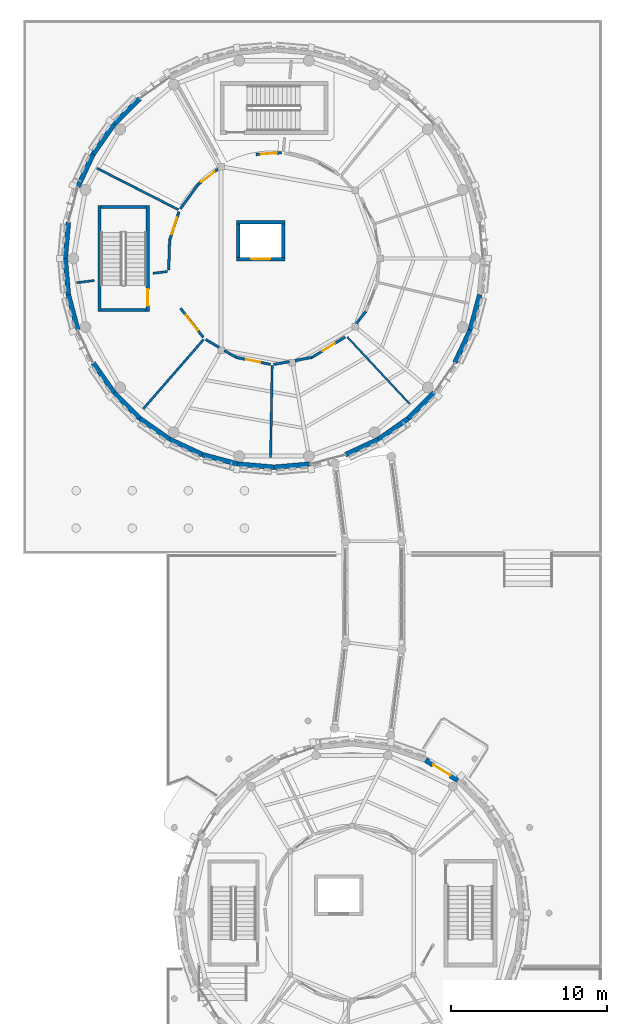
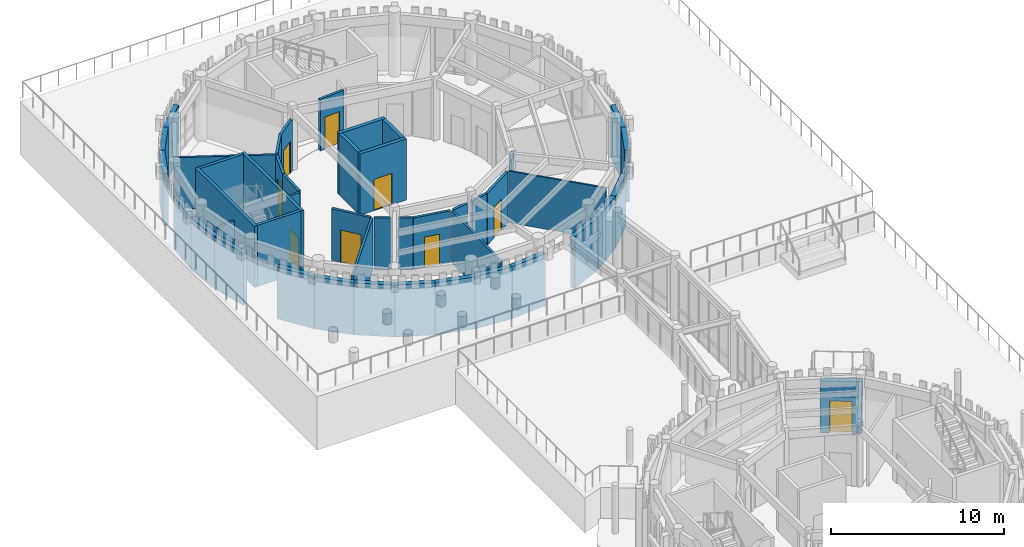
# One storey, part 51 of 94: 46 walls, 9 doors, 9 openings.
"""IFC4 building model written with IfcOpenShell, lengths in metres."""

from ifc_helpers import new_model, si_unit, direction, frame, frame_2d, origin, place, context, subcontext, project, spatial, rectangle, extrude, material, layer, layer_set, type_object, element, fill, save


model = new_model("IFC4")

# Units and contexts
model_context = context("Model", 3, precision=1e-05, world=origin(), true_north=direction((0.0, 1.0)))
body_context = subcontext(model_context, "Body", "Model", "MODEL_VIEW")
ifc_project = project(units=[si_unit("LENGTHUNIT", "METRE"), si_unit("AREAUNIT", "SQUARE_METRE"), si_unit("VOLUMEUNIT", "CUBIC_METRE"), si_unit("PLANEANGLEUNIT", "RADIAN"), si_unit("MASSUNIT", "GRAM", prefix="KILO")], contexts=[model_context])

# Site, building, storey
site_placement = place(None, origin())
site = spatial("IfcSite", under=ifc_project, at=site_placement, CompositionType="ELEMENT")
building_placement = place(site_placement, origin())
building = spatial("IfcBuilding", under=site, at=building_placement, Name="Aldenvaro Health Centre", CompositionType="ELEMENT")
storey_placement = place(building_placement, origin())
storey = spatial("IfcBuildingStorey", under=building, at=storey_placement, Name="L00", CompositionType="ELEMENT", Elevation=0.0)

# Walls
ifc_material_1 = material(Name="Gypsum Stud Acoustic Assembly")
ifc_layer_1 = layer(ifc_material_1, 0.14501953125, Name="Gypsum Stud Acoustic Assembly")
ifc_layer_set_1 = layer_set([ifc_layer_1], Name="Gypsum Stud Acoustic Assembly")
wall_type_1 = type_object("IfcWallType", Name="WL-CLN-145", PredefinedType="PARTITIONING", material=ifc_layer_set_1)
wall_1_placement = place(storey_placement, frame((12.366943359375, 102.625, 0.0), z_axis=(0.0, 0.0, 1.0), x_axis=(-0.891027445761, 0.453949436503, 0.0)))
element("IfcWall", 1, at=wall_1_placement, inside=storey, type_object=wall_type_1, Name="D4 L00 clinical partition 4.1", PredefinedType="PARTITIONING", context=body_context, shape_type="SweptSolid", body=[
    extrude(rectangle(XDim=5.875, YDim=0.14501953125, at=frame_2d((2.9375, 0.0))), origin(), (0.0, 0.0, 1.0), 3.634033203125),
])
wall_2_placement = place(storey_placement, frame((11.66796875, 98.660888671875, 0.0), z_axis=(0.0, 0.0, 1.0), x_axis=(-0.992569205124, -0.121681440816, 0.0)))
element("IfcWall", 2, at=wall_2_placement, inside=storey, type_object=wall_type_1, Name="D4 L00 clinical partition 5.1", PredefinedType="PARTITIONING", context=body_context, shape_type="SweptSolid", body=[
    extrude(rectangle(XDim=0.945068359375, YDim=0.14501953125, at=frame_2d((0.47265625, 0.0))), origin(), (0.0, 0.0, 1.0), 3.634033203125),
])
wall_3_placement = place(storey_placement, frame((6.969970703125, 98.083984375, 0.0), z_axis=(0.0, 0.0, 1.0), x_axis=(-0.992567947832, -0.121691696254, 0.0)))
element("IfcWall", 3, at=wall_3_placement, inside=storey, type_object=wall_type_1, Name="D4 L00 clinical partition 5.2", PredefinedType="PARTITIONING", context=body_context, shape_type="SweptSolid", body=[
    extrude(rectangle(XDim=1.1416015625, YDim=0.14501953125, at=frame_2d((0.57080078125, 0.0))), origin(), (0.0, 0.0, 1.0), 3.634033203125),
])
for number, where, z_axis, x_axis, name in (
    (4, (13.98388671875, 94.304931640625, 0.0), (0.0, 0.0, 1.0), (-0.656130547256, -0.754647404393, 0.0), "D4 L00 clinical partition 6.1"),
    (5, (18.3798828125, 92.617919921875, 0.0), (0.0, 0.0, 1.0), (-0.017427178311, -0.999848135197, 0.0), "D4 L00 clinical partition 7.1"),
):
    element("IfcWall", number, at=place(storey_placement, frame(where, z_axis=z_axis, x_axis=x_axis)), inside=storey, type_object=wall_type_1, Name=name, PredefinedType="PARTITIONING", context=body_context, shape_type="SweptSolid", body=[
        extrude(rectangle(XDim=5.89794921875, YDim=0.14501953125, at=frame_2d((2.948974609375, 0.0))), origin(), (0.0, 0.0, 1.0), 3.634033203125),
    ])

# Wall, opening, door
ifc_layer_2 = layer(ifc_material_1, 0.1650390625, Name="Gypsum Stud Acoustic Assembly")
ifc_layer_set_2 = layer_set([ifc_layer_2], Name="Gypsum Stud Acoustic Assembly")
wall_type_2 = type_object("IfcWallType", Name="WL-COR-165", PredefinedType="PARTITIONING", material=ifc_layer_set_2)
wall_4_placement = place(storey_placement, frame((18.991943359375, 106.281982421875, 0.0), z_axis=(0.0, 0.0, 1.0), x_axis=(-0.997678884904, -0.068094365527, 0.0)))
wall_4 = element("IfcWall", 6, at=wall_4_placement, inside=storey, type_object=wall_type_2, Name="D4 L00 corridor wall 02.1", PredefinedType="PARTITIONING", context=body_context, shape_type="SweptSolid", body=[
    extrude(rectangle(XDim=1.645751953125, YDim=0.1650390625, at=frame_2d((0.82275390625, 0.0))), origin(), (0.0, 0.0, 1.0), 3.634033203125),
])
opening_1_placement = place(wall_4_placement, frame((0.31298828125, 0.0, 0.0)))
opening_1 = element("IfcOpeningElement", 7, at=opening_1_placement, cuts=wall_4, Name="Opening D-11", PredefinedType="OPENING", context=body_context, shape_type="SweptSolid", body=[
    extrude(rectangle(XDim=1.02001953125, YDim=2.260009765625, at=frame_2d((0.510009765625, 1.1298828125))), frame((0.0, 0.092529296875, 0.0), z_axis=(0.0, -1.0, 0.0), x_axis=(1.0, 0.0, 0.0)), (0.0, 0.0, 1.0), 0.18505859375),
])
ifc_material_2 = material(Name="Tall Clinical Timber Door", Category="wood")
door_type_1 = type_object("IfcDoorType", Name="DR-CLN-11", OperationType="NOTDEFINED", PredefinedType="DOOR", material=ifc_material_2)
door_1_placement = place(opening_1_placement, origin())
door_1 = element("IfcDoor", 8, at=door_1_placement, inside=storey, type_object=door_type_1, Name="Primary Care Consulting Room 102 Door", OperationType="SINGLE_SWING_RIGHT", OverallHeight=2.260009765625, OverallWidth=1.02001953125, PredefinedType="DOOR", context=body_context, shape_type="SweptSolid", body=[
    extrude(rectangle(XDim=1.02001953125, YDim=2.260009765625, at=frame_2d((0.510009765625, 1.1298828125))), frame((0.0, 0.02490234375, 0.0), z_axis=(0.0, -1.0, 0.0), x_axis=(1.0, 0.0, 0.0)), (0.0, 0.0, 1.0), 0.050048828125),
])
fill(opening_1, door_1)

wall_5_placement = place(storey_placement, frame((14.931884765625, 105.2548828125, 0.0), z_axis=(0.0, 0.0, 1.0), x_axis=(-0.789062242831, -0.614313256359, 0.0)))
wall_5 = element("IfcWall", 9, at=wall_5_placement, inside=storey, type_object=wall_type_2, Name="D4 L00 corridor wall 03.1", PredefinedType="PARTITIONING", context=body_context, shape_type="SweptSolid", body=[
    extrude(rectangle(XDim=1.677978515625, YDim=0.1650390625, at=frame_2d((0.8388671875, 0.0))), origin(), (0.0, 0.0, 1.0), 3.634033203125),
])
opening_2_placement = place(wall_5_placement, frame((0.30908203125, 0.0, 0.0)))
opening_2 = element("IfcOpeningElement", 10, at=opening_2_placement, cuts=wall_5, Name="Opening D-12", PredefinedType="OPENING", context=body_context, shape_type="SweptSolid", body=[
    extrude(rectangle(XDim=1.06005859375, YDim=2.260009765625, at=frame_2d((0.530029296875, 1.1298828125))), frame((0.0, 0.092529296875, 0.0), z_axis=(0.0, -1.0, 0.0), x_axis=(1.0, 0.0, 0.0)), (0.0, 0.0, 1.0), 0.18505859375),
])
door_type_2 = type_object("IfcDoorType", Name="DR-CLN-12", OperationType="NOTDEFINED", PredefinedType="DOOR", material=ifc_material_2)
door_2_placement = place(opening_2_placement, origin())
door_2 = element("IfcDoor", 11, at=door_2_placement, inside=storey, type_object=door_type_2, Name="Primary Care Consulting Room 103 Door", OperationType="SINGLE_SWING_LEFT", OverallHeight=2.260009765625, OverallWidth=1.06005859375, PredefinedType="DOOR", context=body_context, shape_type="SweptSolid", body=[
    extrude(rectangle(XDim=1.06005859375, YDim=2.260009765625, at=frame_2d((0.530029296875, 1.1298828125))), frame((0.0, 0.02490234375, 0.0), z_axis=(0.0, -1.0, 0.0), x_axis=(1.0, 0.0, 0.0)), (0.0, 0.0, 1.0), 0.050048828125),
])
fill(opening_2, door_2)

# Wall
wall_6_placement = place(storey_placement, frame((13.60791015625, 104.22412109375, 0.0), z_axis=(0.0, 0.0, 1.0), x_axis=(-0.586353653899, -0.810055178713, 0.0)))
element("IfcWall", 12, at=wall_6_placement, inside=storey, type_object=wall_type_2, Name="D4 L00 corridor wall 03.2", PredefinedType="PARTITIONING", context=body_context, shape_type="SweptSolid", body=[
    extrude(rectangle(XDim=1.909912109375, YDim=0.1650390625, at=frame_2d((0.955078125, 0.0))), origin(), (0.0, 0.0, 1.0), 3.634033203125),
])

# Wall, opening, door
wall_7_placement = place(storey_placement, frame((12.39599609375, 102.4970703125, 0.0), z_axis=(0.0, 0.0, 1.0), x_axis=(-0.310394711814, -0.950607765, 0.0)))
wall_7 = element("IfcWall", 13, at=wall_7_placement, inside=storey, type_object=wall_type_2, Name="D4 L00 corridor wall 04.1", PredefinedType="PARTITIONING", context=body_context, shape_type="SweptSolid", body=[
    extrude(rectangle(XDim=1.91064453125, YDim=0.1650390625, at=frame_2d((0.955322265625, 0.0))), origin(), (0.0, 0.0, 1.0), 3.634033203125),
])
opening_3_placement = place(wall_7_placement, frame((0.385009765625, 0.0, 0.0)))
opening_3 = element("IfcOpeningElement", 14, at=opening_3_placement, cuts=wall_7, Name="Opening D-13", PredefinedType="OPENING", context=body_context, shape_type="SweptSolid", body=[
    extrude(rectangle(XDim=1.139892578125, YDim=2.280029296875, at=frame_2d((0.56982421875, 1.14013671875))), frame((0.0, 0.092529296875, 0.0), z_axis=(0.0, -1.0, 0.0), x_axis=(1.0, 0.0, 0.0)), (0.0, 0.0, 1.0), 0.18505859375),
])
ifc_material_3 = material(Name="Rehab Gym Access Door")
door_type_3 = type_object("IfcDoorType", Name="DR-CLN-13", OperationType="NOTDEFINED", PredefinedType="DOOR", material=ifc_material_3)
door_3_placement = place(opening_3_placement, origin())
door_3 = element("IfcDoor", 15, at=door_3_placement, inside=storey, type_object=door_type_3, Name="Primary Care Consulting Room 104 Door", OperationType="SINGLE_SWING_RIGHT", OverallHeight=2.280029296875, OverallWidth=1.139892578125, PredefinedType="DOOR", context=body_context, shape_type="SweptSolid", body=[
    extrude(rectangle(XDim=1.139892578125, YDim=2.280029296875, at=frame_2d((0.56982421875, 1.14013671875))), frame((0.0, 0.02490234375, 0.0), z_axis=(0.0, -1.0, 0.0), x_axis=(1.0, 0.0, 0.0)), (0.0, 0.0, 1.0), 0.050048828125),
])
fill(opening_3, door_3)

# Wall
wall_8_placement = place(storey_placement, frame((11.802978515625, 100.680908203125, 0.0), z_axis=(0.0, 0.0, 1.0), x_axis=(-0.033489325707, -0.999439075214, 0.0)))
element("IfcWall", 16, at=wall_8_placement, inside=storey, type_object=wall_type_2, Name="D4 L00 corridor wall 04.2", PredefinedType="PARTITIONING", context=body_context, shape_type="SweptSolid", body=[
    extrude(rectangle(XDim=1.909912109375, YDim=0.1650390625, at=frame_2d((0.955078125, 0.0))), origin(), (0.0, 0.0, 1.0), 3.634033203125),
])

# Wall, opening, door
wall_9_placement = place(storey_placement, frame((12.49609375, 96.30810546875, 0.0), z_axis=(0.0, 0.0, 1.0), x_axis=(0.616551733379, -0.787314397218, 0.0)))
wall_9 = element("IfcWall", 17, at=wall_9_placement, inside=storey, type_object=wall_type_2, Name="D4 L00 corridor wall 05.1", PredefinedType="PARTITIONING", context=body_context, shape_type="SweptSolid", body=[
    extrude(rectangle(XDim=2.379150390625, YDim=0.1650390625, at=frame_2d((1.189453125, 0.0))), origin(), (0.0, 0.0, 1.0), 3.634033203125),
])
opening_4_placement = place(wall_9_placement, frame((0.56005859375, 0.0, 0.0)))
opening_4 = element("IfcOpeningElement", 18, at=opening_4_placement, cuts=wall_9, Name="Opening D-14", PredefinedType="OPENING", context=body_context, shape_type="SweptSolid", body=[
    extrude(rectangle(XDim=1.260009765625, YDim=2.280029296875, at=frame_2d((0.6298828125, 1.14013671875))), frame((0.0, 0.092529296875, 0.0), z_axis=(0.0, -1.0, 0.0), x_axis=(1.0, 0.0, 0.0)), (0.0, 0.0, 1.0), 0.18505859375),
])
ifc_material_4 = material(Name="Equipment Alcove Door")
door_type_4 = type_object("IfcDoorType", Name="DR-CLN-14", OperationType="NOTDEFINED", PredefinedType="DOOR", material=ifc_material_4)
door_4_placement = place(opening_4_placement, origin())
door_4 = element("IfcDoor", 19, at=door_4_placement, inside=storey, type_object=door_type_4, Name="Phlebotomy and Blood Draw Suite Door", OperationType="SINGLE_SWING_LEFT", OverallHeight=2.280029296875, OverallWidth=1.260009765625, PredefinedType="DOOR", context=body_context, shape_type="SweptSolid", body=[
    extrude(rectangle(XDim=1.260009765625, YDim=2.280029296875, at=frame_2d((0.6298828125, 1.14013671875))), frame((0.0, 0.02490234375, 0.0), z_axis=(0.0, -1.0, 0.0), x_axis=(1.0, 0.0, 0.0)), (0.0, 0.0, 1.0), 0.050048828125),
])
fill(opening_4, door_4)

# Walls
wall_10_placement = place(storey_placement, frame((14.114990234375, 94.302001953125, 0.0), z_axis=(0.0, 0.0, 1.0), x_axis=(0.861491085174, -0.507772695373, 0.0)))
element("IfcWall", 20, at=wall_10_placement, inside=storey, type_object=wall_type_2, Name="D4 L00 corridor wall 06.1", PredefinedType="PARTITIONING", context=body_context, shape_type="SweptSolid", body=[
    extrude(rectangle(XDim=1.00634765625, YDim=0.1650390625, at=frame_2d((0.503173828125, 0.0))), origin(), (0.0, 0.0, 1.0), 3.634033203125),
])
wall_11_placement = place(storey_placement, frame((15.31396484375, 93.593994140625, 0.0), z_axis=(0.0, 0.0, 1.0), x_axis=(0.861284000781, -0.50812387269, 0.0)))
element("IfcWall", 21, at=wall_11_placement, inside=storey, type_object=wall_type_2, Name="D4 L00 corridor wall 06.2", PredefinedType="PARTITIONING", context=body_context, shape_type="SweptSolid", body=[
    extrude(rectangle(XDim=0.86962890625, YDim=0.1650390625, at=frame_2d((0.434814453125, 0.0))), origin(), (0.0, 0.0, 1.0), 3.634033203125),
])

# Wall, opening, door
wall_12_placement = place(storey_placement, frame((16.06298828125, 93.152099609375, 0.0), z_axis=(0.0, 0.0, 1.0), x_axis=(0.980188495627, -0.198066940808, 0.0)))
wall_12 = element("IfcWall", 22, at=wall_12_placement, inside=storey, type_object=wall_type_2, Name="D4 L00 corridor wall 06.3", PredefinedType="PARTITIONING", context=body_context, shape_type="SweptSolid", body=[
    extrude(rectangle(XDim=2.261962890625, YDim=0.1650390625, at=frame_2d((1.130859375, 0.0))), origin(), (0.0, 0.0, 1.0), 3.634033203125),
])
opening_5_placement = place(wall_12_placement, frame((0.676025390625, 0.0, 0.0)))
opening_5 = element("IfcOpeningElement", 23, at=opening_5_placement, cuts=wall_12, Name="Opening D-15", PredefinedType="OPENING", context=body_context, shape_type="SweptSolid", body=[
    extrude(rectangle(XDim=0.909912109375, YDim=2.14990234375, at=frame_2d((0.455078125, 1.074951171875))), frame((0.0, 0.092529296875, 0.0), z_axis=(0.0, -1.0, 0.0), x_axis=(1.0, 0.0, 0.0)), (0.0, 0.0, 1.0), 0.18505859375),
])
ifc_material_5 = material(Name="Exam Suite Timber Door", Category="wood")
door_type_5 = type_object("IfcDoorType", Name="DR-CLN-15", OperationType="NOTDEFINED", PredefinedType="DOOR", material=ifc_material_5)
door_5_placement = place(opening_5_placement, origin())
door_5 = element("IfcDoor", 24, at=door_5_placement, inside=storey, type_object=door_type_5, Name="Immunization and Triage Clinic Door", OperationType="SINGLE_SWING_RIGHT", OverallHeight=2.14990234375, OverallWidth=0.909912109375, PredefinedType="DOOR", context=body_context, shape_type="SweptSolid", body=[
    extrude(rectangle(XDim=0.909912109375, YDim=2.14990234375, at=frame_2d((0.455078125, 1.074951171875))), frame((0.0, 0.02490234375, 0.0), z_axis=(0.0, -1.0, 0.0), x_axis=(1.0, 0.0, 0.0)), (0.0, 0.0, 1.0), 0.050048828125),
])
fill(opening_5, door_5)

# Walls
wall_13_placement = place(storey_placement, frame((18.48193359375, 92.699951171875, 0.0), z_axis=(0.0, 0.0, 1.0), x_axis=(0.983475695992, 0.181040203803, 0.0)))
element("IfcWall", 25, at=wall_13_placement, inside=storey, type_object=wall_type_2, Name="D4 L00 corridor wall 07.1", PredefinedType="PARTITIONING", context=body_context, shape_type="SweptSolid", body=[
    extrude(rectangle(XDim=1.016845703125, YDim=0.1650390625, at=frame_2d((0.50830078125, 0.0))), origin(), (0.0, 0.0, 1.0), 3.634033203125),
])
wall_14_placement = place(storey_placement, frame((19.837890625, 92.948974609375, 0.0), z_axis=(0.0, 0.0, 1.0), x_axis=(0.983348567421, 0.181729455374, 0.0)))
element("IfcWall", 26, at=wall_14_placement, inside=storey, type_object=wall_type_2, Name="D4 L00 corridor wall 07.2", PredefinedType="PARTITIONING", context=body_context, shape_type="SweptSolid", body=[
    extrude(rectangle(XDim=1.11767578125, YDim=0.1650390625, at=frame_2d((0.558837890625, 0.0))), origin(), (0.0, 0.0, 1.0), 3.634033203125),
])

# Wall, opening, door
wall_15_placement = place(storey_placement, frame((20.93701171875, 93.152099609375, 0.0), z_axis=(0.0, 0.0, 1.0), x_axis=(0.851910142984, 0.523687987528, 0.0)))
wall_15 = element("IfcWall", 27, at=wall_15_placement, inside=storey, type_object=wall_type_2, Name="D4 L00 corridor wall 07.3", PredefinedType="PARTITIONING", context=body_context, shape_type="SweptSolid", body=[
    extrude(rectangle(XDim=2.49560546875, YDim=0.1650390625, at=frame_2d((1.247802734375, 0.0))), origin(), (0.0, 0.0, 1.0), 3.634033203125),
])
opening_6_placement = place(wall_15_placement, frame((0.782958984375, 0.0, 0.0)))
opening_6 = element("IfcOpeningElement", 28, at=opening_6_placement, cuts=wall_15, Name="Opening D-16", PredefinedType="OPENING", context=body_context, shape_type="SweptSolid", body=[
    extrude(rectangle(XDim=0.929931640625, YDim=2.179931640625, at=frame_2d((0.46484375, 1.08984375))), frame((0.0, 0.092529296875, 0.0), z_axis=(0.0, -1.0, 0.0), x_axis=(1.0, 0.0, 0.0)), (0.0, 0.0, 1.0), 0.18505859375),
])
door_type_6 = type_object("IfcDoorType", Name="DR-CLN-16", OperationType="NOTDEFINED", PredefinedType="DOOR", material=ifc_material_5)
door_6_placement = place(opening_6_placement, origin())
door_6 = element("IfcDoor", 29, at=door_6_placement, inside=storey, type_object=door_type_6, Name="Sub-Waiting Alcove Door", OperationType="SINGLE_SWING_LEFT", OverallHeight=2.179931640625, OverallWidth=0.929931640625, PredefinedType="DOOR", context=body_context, shape_type="SweptSolid", body=[
    extrude(rectangle(XDim=0.929931640625, YDim=2.179931640625, at=frame_2d((0.46484375, 1.08984375))), frame((0.0, 0.02490234375, 0.0), z_axis=(0.0, -1.0, 0.0), x_axis=(1.0, 0.0, 0.0)), (0.0, 0.0, 1.0), 0.050048828125),
])
fill(opening_6, door_6)

# Walls
wall_16_placement = place(storey_placement, frame((23.785888671875, 95.330078125, 0.0), z_axis=(0.0, 0.0, 1.0), x_axis=(0.616563995623, 0.787304794411, 0.0)))
element("IfcWall", 30, at=wall_16_placement, inside=storey, type_object=wall_type_2, Name="D4 L00 corridor wall 08.1", PredefinedType="PARTITIONING", context=body_context, shape_type="SweptSolid", body=[
    extrude(rectangle(XDim=0.97802734375, YDim=0.1650390625, at=frame_2d((0.489013671875, 0.0))), origin(), (0.0, 0.0, 1.0), 3.634033203125),
])
ifc_material_6 = material(Name="Concrete f'c 35 MPa", Category="concrete")
ifc_layer_3 = layer(ifc_material_6, 0.31005859375, Name="Concrete f'c 35 MPa", Category="concrete")
ifc_layer_set_3 = layer_set([ifc_layer_3], Name="Concrete f'c 35 MPa")
wall_type_3 = type_object("IfcWallType", Name="WL-EXT-310", PredefinedType="SOLIDWALL", material=ifc_layer_set_3)
wall_17_placement = place(storey_placement, frame((31.696044921875, 97.173095703125, 0.0), z_axis=(0.0, 0.0, 1.0), x_axis=(-0.258612423585, -0.965981166673, 0.0)))
element("IfcWall", 31, at=wall_17_placement, inside=storey, type_object=wall_type_3, Name="D4 L00 exterior wall 02", PredefinedType="SOLIDWALL", context=body_context, shape_type="SweptSolid", body=[
    extrude(rectangle(XDim=2.33544921875, YDim=0.31005859375, at=frame_2d((1.167724609375, 0.0))), origin(), (0.0, 0.0, 1.0), 3.658935546875),
])
wall_18_placement = place(storey_placement, frame((31.092041015625, 94.9169921875, 0.0), z_axis=(0.0, 0.0, 1.0), x_axis=(-0.422587894318, -0.906321946979, 0.0)))
element("IfcWall", 32, at=wall_18_placement, inside=storey, type_object=wall_type_3, Name="D4 L00 exterior wall 03", PredefinedType="SOLIDWALL", context=body_context, shape_type="SweptSolid", body=[
    extrude(rectangle(XDim=2.335693359375, YDim=0.31005859375, at=frame_2d((1.16796875, 0.0))), origin(), (0.0, 0.0, 1.0), 3.658935546875),
])
wall_19_placement = place(storey_placement, frame((28.764892578125, 90.886962890625, 0.0), z_axis=(0.0, 0.0, 1.0), x_axis=(-0.707106781187, -0.707106781187, 0.0)))
element("IfcWall", 33, at=wall_19_placement, inside=storey, type_object=wall_type_3, Name="D4 L00 exterior wall 05", PredefinedType="SOLIDWALL", context=body_context, shape_type="SweptSolid", body=[
    extrude(rectangle(XDim=2.336181640625, YDim=0.31005859375, at=frame_2d((1.16796875, 0.0))), origin(), (0.0, 0.0, 1.0), 3.658935546875),
])
for number, where, z_axis, x_axis, name in (
    (34, (27.113037109375, 89.235107421875, 0.0), (0.0, 0.0, 1.0), (-0.819045278347, -0.573728883722, 0.0), "D4 L00 exterior wall 06"),
    (35, (25.199951171875, 87.89501953125, 0.0), (0.0, 0.0, 1.0), (-0.906321946979, -0.422587894318, 0.0), "D4 L00 exterior wall 07"),
):
    element("IfcWall", number, at=place(storey_placement, frame(where, z_axis=z_axis, x_axis=x_axis)), inside=storey, type_object=wall_type_3, Name=name, PredefinedType="SOLIDWALL", context=body_context, shape_type="SweptSolid", body=[
        extrude(rectangle(XDim=2.335693359375, YDim=0.31005859375, at=frame_2d((1.16796875, 0.0))), origin(), (0.0, 0.0, 1.0), 3.658935546875),
    ])
for number, where, z_axis, x_axis, name in (
    (36, (20.826904296875, 86.303955078125, 0.0), (0.0, 0.0, 1.0), (-0.996184295282, -0.087274565792, 0.0), "D4 L00 exterior wall 09"),
    (37, (18.5, 86.10009765625, 0.0), (0.0, 0.0, 1.0), (-0.996184295282, 0.087274565792, 0.0), "D4 L00 exterior wall 10"),
):
    element("IfcWall", number, at=place(storey_placement, frame(where, z_axis=z_axis, x_axis=x_axis)), inside=storey, type_object=wall_type_3, Name=name, PredefinedType="SOLIDWALL", context=body_context, shape_type="SweptSolid", body=[
        extrude(rectangle(XDim=2.3359375, YDim=0.31005859375, at=frame_2d((1.16796875, 0.0))), origin(), (0.0, 0.0, 1.0), 3.658935546875),
    ])
wall_20_placement = place(storey_placement, frame((16.173095703125, 86.303955078125, 0.0), z_axis=(0.0, 0.0, 1.0), x_axis=(-0.965981166673, 0.258612423585, 0.0)))
element("IfcWall", 38, at=wall_20_placement, inside=storey, type_object=wall_type_3, Name="D4 L00 exterior wall 11", PredefinedType="SOLIDWALL", context=body_context, shape_type="SweptSolid", body=[
    extrude(rectangle(XDim=2.33544921875, YDim=0.31005859375, at=frame_2d((1.167724609375, 0.0))), origin(), (0.0, 0.0, 1.0), 3.658935546875),
])
for number, where, z_axis, x_axis, name in (
    (39, (13.9169921875, 86.907958984375, 0.0), (0.0, 0.0, 1.0), (-0.906321946979, 0.422587894318, 0.0), "D4 L00 exterior wall 12"),
    (40, (11.800048828125, 87.89501953125, 0.0), (0.0, 0.0, 1.0), (-0.819045278347, 0.573728883722, 0.0), "D4 L00 exterior wall 13"),
):
    element("IfcWall", number, at=place(storey_placement, frame(where, z_axis=z_axis, x_axis=x_axis)), inside=storey, type_object=wall_type_3, Name=name, PredefinedType="SOLIDWALL", context=body_context, shape_type="SweptSolid", body=[
        extrude(rectangle(XDim=2.335693359375, YDim=0.31005859375, at=frame_2d((1.16796875, 0.0))), origin(), (0.0, 0.0, 1.0), 3.658935546875),
    ])
wall_21_placement = place(storey_placement, frame((9.886962890625, 89.235107421875, 0.0), z_axis=(0.0, 0.0, 1.0), x_axis=(-0.707106781187, 0.707106781187, 0.0)))
element("IfcWall", 41, at=wall_21_placement, inside=storey, type_object=wall_type_3, Name="D4 L00 exterior wall 14", PredefinedType="SOLIDWALL", context=body_context, shape_type="SweptSolid", body=[
    extrude(rectangle(XDim=2.336181640625, YDim=0.31005859375, at=frame_2d((1.16796875, 0.0))), origin(), (0.0, 0.0, 1.0), 3.658935546875),
])
wall_22_placement = place(storey_placement, frame((8.235107421875, 90.886962890625, 0.0), z_axis=(0.0, 0.0, 1.0), x_axis=(-0.573728883722, 0.819045278347, 0.0)))
element("IfcWall", 42, at=wall_22_placement, inside=storey, type_object=wall_type_3, Name="D4 L00 exterior wall 15", PredefinedType="SOLIDWALL", context=body_context, shape_type="SweptSolid", body=[
    extrude(rectangle(XDim=2.335693359375, YDim=0.31005859375, at=frame_2d((1.16796875, 0.0))), origin(), (0.0, 0.0, 1.0), 3.658935546875),
])
wall_23_placement = place(storey_placement, frame((5.907958984375, 94.9169921875, 0.0), z_axis=(0.0, 0.0, 1.0), x_axis=(-0.258612423585, 0.965981166673, 0.0)))
element("IfcWall", 43, at=wall_23_placement, inside=storey, type_object=wall_type_3, Name="D4 L00 exterior wall 17", PredefinedType="SOLIDWALL", context=body_context, shape_type="SweptSolid", body=[
    extrude(rectangle(XDim=2.33544921875, YDim=0.31005859375, at=frame_2d((1.167724609375, 0.0))), origin(), (0.0, 0.0, 1.0), 3.658935546875),
])
for number, where, z_axis, x_axis, name in (
    (44, (5.303955078125, 97.173095703125, 0.0), (0.0, 0.0, 1.0), (-0.087274565792, 0.996184295282, 0.0), "D4 L00 exterior wall 18"),
    (45, (5.10009765625, 99.5, 0.0), (0.0, 0.0, 1.0), (0.087274565792, 0.996184295282, 0.0), "D4 L00 exterior wall 19"),
):
    element("IfcWall", number, at=place(storey_placement, frame(where, z_axis=z_axis, x_axis=x_axis)), inside=storey, type_object=wall_type_3, Name=name, PredefinedType="SOLIDWALL", context=body_context, shape_type="SweptSolid", body=[
        extrude(rectangle(XDim=2.3359375, YDim=0.31005859375, at=frame_2d((1.16796875, 0.0))), origin(), (0.0, 0.0, 1.0), 3.658935546875),
    ])
for number, where, z_axis, x_axis, name in (
    (46, (5.907958984375, 104.0830078125, 0.0), (0.0, 0.0, 1.0), (0.422587894318, 0.906321946979, 0.0), "D4 L00 exterior wall 21"),
    (47, (6.89501953125, 106.199951171875, 0.0), (0.0, 0.0, 1.0), (0.573728883722, 0.819045278347, 0.0), "D4 L00 exterior wall 22"),
):
    element("IfcWall", number, at=place(storey_placement, frame(where, z_axis=z_axis, x_axis=x_axis)), inside=storey, type_object=wall_type_3, Name=name, PredefinedType="SOLIDWALL", context=body_context, shape_type="SweptSolid", body=[
        extrude(rectangle(XDim=2.335693359375, YDim=0.31005859375, at=frame_2d((1.16796875, 0.0))), origin(), (0.0, 0.0, 1.0), 3.658935546875),
    ])
wall_24_placement = place(storey_placement, frame((8.235107421875, 108.113037109375, 0.0), z_axis=(0.0, 0.0, 1.0), x_axis=(0.707106781187, 0.707106781187, 0.0)))
element("IfcWall", 48, at=wall_24_placement, inside=storey, type_object=wall_type_3, Name="D4 L00 exterior wall 23", PredefinedType="SOLIDWALL", context=body_context, shape_type="SweptSolid", body=[
    extrude(rectangle(XDim=2.336181640625, YDim=0.31005859375, at=frame_2d((1.16796875, 0.0))), origin(), (0.0, 0.0, 1.0), 3.658935546875),
])

# Wall, opening, door
ifc_layer_4 = layer(ifc_material_6, 0.340087890625, Name="Concrete f'c 35 MPa", Category="concrete")
ifc_layer_set_4 = layer_set([ifc_layer_4], Name="Concrete f'c 35 MPa")
wall_type_4 = type_object("IfcWallType", Name="WL-EXT-340", PredefinedType="SOLIDWALL", material=ifc_layer_set_4)
wall_25_placement = place(storey_placement, frame((28.22900390625, 67.321044921875, 0.0), z_axis=(0.0, 0.0, 1.0), x_axis=(0.846658434148, -0.532136726684, 0.0)))
wall_25 = element("IfcWall", 49, at=wall_25_placement, inside=storey, type_object=wall_type_4, Name="D3 L00 exterior wall 24", PredefinedType="SOLIDWALL", context=body_context, shape_type="SweptSolid", body=[
    extrude(rectangle(XDim=2.441162109375, YDim=0.340087890625, at=frame_2d((1.220703125, 0.0))), origin(), (0.0, 0.0, 1.0), 3.658935546875),
])
opening_7_placement = place(wall_25_placement, frame((0.571044921875, 0.0, 0.0)))
opening_7 = element("IfcOpeningElement", 50, at=opening_7_placement, cuts=wall_25, Name="Opening ED-06", PredefinedType="OPENING", context=body_context, shape_type="SweptSolid", body=[
    extrude(rectangle(XDim=1.300048828125, YDim=2.25, at=frame_2d((0.64990234375, 1.125))), frame((0.0, 0.18017578125, 0.0), z_axis=(0.0, -1.0, 0.0), x_axis=(1.0, 0.0, 0.0)), (0.0, 0.0, 1.0), 0.360107421875),
])
ifc_material_7 = material(Name="Thermally Broken Glazed Aluminium", Category="aluminium")
door_type_7 = type_object("IfcDoorType", Name="DR-GDN-130", OperationType="NOTDEFINED", PredefinedType="DOOR", material=ifc_material_7)
door_7_placement = place(opening_7_placement, origin())
door_7 = element("IfcDoor", 51, at=door_7_placement, inside=storey, type_object=door_type_7, Name="Pedestrian Final Exit Door 16", OperationType="SINGLE_SWING_RIGHT", OverallHeight=2.25, OverallWidth=1.300048828125, PredefinedType="DOOR", context=body_context, shape_type="SweptSolid", body=[
    extrude(rectangle(XDim=1.300048828125, YDim=2.25, at=frame_2d((0.64990234375, 1.125))), frame((0.0, 0.02490234375, 0.0), z_axis=(0.0, -1.0, 0.0), x_axis=(1.0, 0.0, 0.0)), (0.0, 0.0, 1.0), 0.050048828125),
])
fill(opening_7, door_7)

ifc_material_8 = material(Name="Concrete f'c 40 MPa", Category="concrete")
ifc_layer_5 = layer(ifc_material_8, 0.199951171875, Name="Concrete f'c 40 MPa", Category="concrete")
ifc_layer_set_5 = layer_set([ifc_layer_5], Name="Concrete f'c 40 MPa")
wall_type_5 = type_object("IfcWallType", Name="WL-SHAFT-200", PredefinedType="SHEAR", material=ifc_layer_set_5)
wall_26_placement = place(storey_placement, frame((10.39990234375, 96.10009765625, 0.0), z_axis=(0.0, 0.0, 1.0), x_axis=(0.0, 1.0, 0.0)))
wall_26 = element("IfcWall", 52, at=wall_26_placement, inside=storey, type_object=wall_type_5, Name="ST-08 L00 inner core wall", PredefinedType="SHEAR", context=body_context, shape_type="SweptSolid", body=[
    extrude(rectangle(XDim=6.7998046875, YDim=0.199951171875, at=frame_2d((3.39990234375, 0.0))), origin(), (0.0, 0.0, 1.0), 4.304931640625),
])
opening_8_placement = place(wall_26_placement, frame((0.3798828125, 0.0, 0.0)))
opening_8 = element("IfcOpeningElement", 53, at=opening_8_placement, cuts=wall_26, Name="Opening FD-02", PredefinedType="OPENING", context=body_context, shape_type="SweptSolid", body=[
    extrude(rectangle(XDim=1.050048828125, YDim=2.14990234375, at=frame_2d((0.52490234375, 1.074951171875))), frame((0.0, 0.10986328125, 0.0), z_axis=(0.0, -1.0, 0.0), x_axis=(1.0, 0.0, 0.0)), (0.0, 0.0, 1.0), 0.219970703125),
])
ifc_material_9 = material(Name="Fire-Rated Steel Door Assembly", Category="steel")
door_type_8 = type_object("IfcDoorType", Name="DR-STAIR-105", OperationType="NOTDEFINED", PredefinedType="DOOR", material=ifc_material_9)
door_8_placement = place(opening_8_placement, origin())
door_8 = element("IfcDoor", 54, at=door_8_placement, inside=storey, type_object=door_type_8, Name="ST-08 L00 fire stair door", OperationType="SINGLE_SWING_LEFT", OverallHeight=2.14990234375, OverallWidth=1.050048828125, PredefinedType="DOOR", context=body_context, shape_type="SweptSolid", body=[
    extrude(rectangle(XDim=1.050048828125, YDim=2.14990234375, at=frame_2d((0.52490234375, 1.074951171875))), frame((0.0, 0.02490234375, 0.0), z_axis=(0.0, -1.0, 0.0), x_axis=(1.0, 0.0, 0.0)), (0.0, 0.0, 1.0), 0.050048828125),
])
fill(opening_8, door_8)

# Walls
wall_27_placement = place(storey_placement, frame((7.300048828125, 96.10009765625, 0.0), z_axis=(0.0, 0.0, 1.0), x_axis=(0.0, 1.0, 0.0)))
element("IfcWall", 55, at=wall_27_placement, inside=storey, type_object=wall_type_5, Name="ST-08 L00 far core wall", PredefinedType="SHEAR", context=body_context, shape_type="SweptSolid", body=[
    extrude(rectangle(XDim=6.7998046875, YDim=0.199951171875, at=frame_2d((3.39990234375, 0.0))), origin(), (0.0, 0.0, 1.0), 4.304931640625),
])
for number, where, z_axis, x_axis, name in (
    (56, (10.300048828125, 96.199951171875, 0.0), (0.0, 0.0, 1.0), (-1.0, 0.0, 0.0), "ST-08 L00 side core wall L"),
    (57, (10.300048828125, 102.800048828125, 0.0), (0.0, 0.0, 1.0), (-1.0, 0.0, 0.0), "ST-08 L00 side core wall R"),
):
    element("IfcWall", number, at=place(storey_placement, frame(where, z_axis=z_axis, x_axis=x_axis)), inside=storey, type_object=wall_type_5, Name=name, PredefinedType="SHEAR", context=body_context, shape_type="SweptSolid", body=[
        extrude(rectangle(XDim=2.900146484375, YDim=0.199951171875, at=frame_2d((1.4501953125, 0.0))), origin(), (0.0, 0.0, 1.0), 4.304931640625),
    ])

# Wall, opening, door
ifc_layer_6 = layer(ifc_material_8, 0.22509765625, Name="Concrete f'c 40 MPa", Category="concrete")
ifc_layer_set_6 = layer_set([ifc_layer_6], Name="Concrete f'c 40 MPa")
wall_type_6 = type_object("IfcWallType", Name="WL-SHAFT-225", PredefinedType="SHEAR", material=ifc_layer_set_6)
wall_28_placement = place(storey_placement, frame((16.10009765625, 99.462890625, 0.0), z_axis=(0.0, 0.0, 1.0), x_axis=(1.0, 0.0, 0.0)))
wall_28 = element("IfcWall", 58, at=wall_28_placement, inside=storey, type_object=wall_type_6, Name="LF-04 L00 lift shaft front wall", PredefinedType="SHEAR", context=body_context, shape_type="SweptSolid", body=[
    extrude(rectangle(XDim=3.099853515625, YDim=0.22509765625, at=frame_2d((1.5498046875, 0.0))), origin(), (0.0, 0.0, 1.0), 4.304931640625),
])
opening_9_placement = place(wall_28_placement, frame((0.949951171875, 0.0, 0.0)))
opening_9 = element("IfcOpeningElement", 59, at=opening_9_placement, cuts=wall_28, Name="Opening LD-01", PredefinedType="OPENING", context=body_context, shape_type="SweptSolid", body=[
    extrude(rectangle(XDim=1.199951171875, YDim=2.199951171875, at=frame_2d((0.60009765625, 1.10009765625))), frame((0.0, 0.12255859375, 0.0), z_axis=(0.0, -1.0, 0.0), x_axis=(1.0, 0.0, 0.0)), (0.0, 0.0, 1.0), 0.2451171875),
])
ifc_material_10 = material(Name="Stainless Steel Lift Landing Door", Category="steel")
door_type_9 = type_object("IfcDoorType", Name="DR-LIFT-120", OperationType="DOUBLE_DOOR_SLIDING", PredefinedType="DOOR", material=ifc_material_10)
door_9_placement = place(opening_9_placement, origin())
door_9 = element("IfcDoor", 60, at=door_9_placement, inside=storey, type_object=door_type_9, Name="Lift LF-04 L00 Sliding Landing Door", OperationType="DOUBLE_DOOR_SLIDING", OverallHeight=2.199951171875, OverallWidth=1.199951171875, PredefinedType="DOOR", context=body_context, shape_type="SweptSolid", body=[
    extrude(rectangle(XDim=1.199951171875, YDim=2.199951171875, at=frame_2d((0.60009765625, 1.10009765625))), frame((0.0, 0.02490234375, 0.0), z_axis=(0.0, -1.0, 0.0), x_axis=(1.0, 0.0, 0.0)), (0.0, 0.0, 1.0), 0.050048828125),
])
fill(opening_9, door_9)

# Walls
wall_29_placement = place(storey_placement, frame((16.10009765625, 101.837890625, 0.0), z_axis=(0.0, 0.0, 1.0), x_axis=(1.0, 0.0, 0.0)))
element("IfcWall", 61, at=wall_29_placement, inside=storey, type_object=wall_type_6, Name="LF-04 L00 lift shaft rear wall", PredefinedType="SHEAR", context=body_context, shape_type="SweptSolid", body=[
    extrude(rectangle(XDim=3.099853515625, YDim=0.22509765625, at=frame_2d((1.5498046875, 0.0))), origin(), (0.0, 0.0, 1.0), 4.304931640625),
])
for number, where, z_axis, x_axis, name in (
    (62, (16.2119140625, 99.574951171875, 0.0), (0.0, 0.0, 1.0), (0.0, 1.0, 0.0), "LF-04 L00 lift shaft side wall L"),
    (63, (19.0869140625, 99.574951171875, 0.0), (0.0, 0.0, 1.0), (0.0, 1.0, 0.0), "LF-04 L00 lift shaft side wall R"),
):
    element("IfcWall", number, at=place(storey_placement, frame(where, z_axis=z_axis, x_axis=x_axis)), inside=storey, type_object=wall_type_6, Name=name, PredefinedType="SHEAR", context=body_context, shape_type="SweptSolid", body=[
        extrude(rectangle(XDim=2.150146484375, YDim=0.22509765625, at=frame_2d((1.0751953125, 0.0))), origin(), (0.0, 0.0, 1.0), 4.304931640625),
    ])
ifc_material_11 = material(Name="Light Gauge Steel Stud Partition", Category="steel")
ifc_layer_7 = layer(ifc_material_11, 0.114990234375, Name="Light Gauge Steel Stud Partition", Category="steel")
ifc_layer_set_7 = layer_set([ifc_layer_7], Name="Light Gauge Steel Stud Partition")
wall_type_7 = type_object("IfcWallType", Name="WL-SUB-115", PredefinedType="PARTITIONING", material=ifc_layer_set_7)
wall_30_placement = place(storey_placement, frame((23.194091796875, 94.466064453125, 0.0), z_axis=(0.0, 0.0, 1.0), x_axis=(0.681971732264, -0.731378531537, 0.0)))
element("IfcWall", 64, at=wall_30_placement, inside=storey, type_object=wall_type_7, Name="D4 L00 clinical partition 8.1", PredefinedType="PARTITIONING", context=body_context, shape_type="SweptSolid", body=[
    extrude(rectangle(XDim=5.87548828125, YDim=0.114990234375, at=frame_2d((2.937744140625, 0.0))), origin(), (0.0, 0.0, 1.0), 3.634033203125),
])

save(model, "model.ifc")
